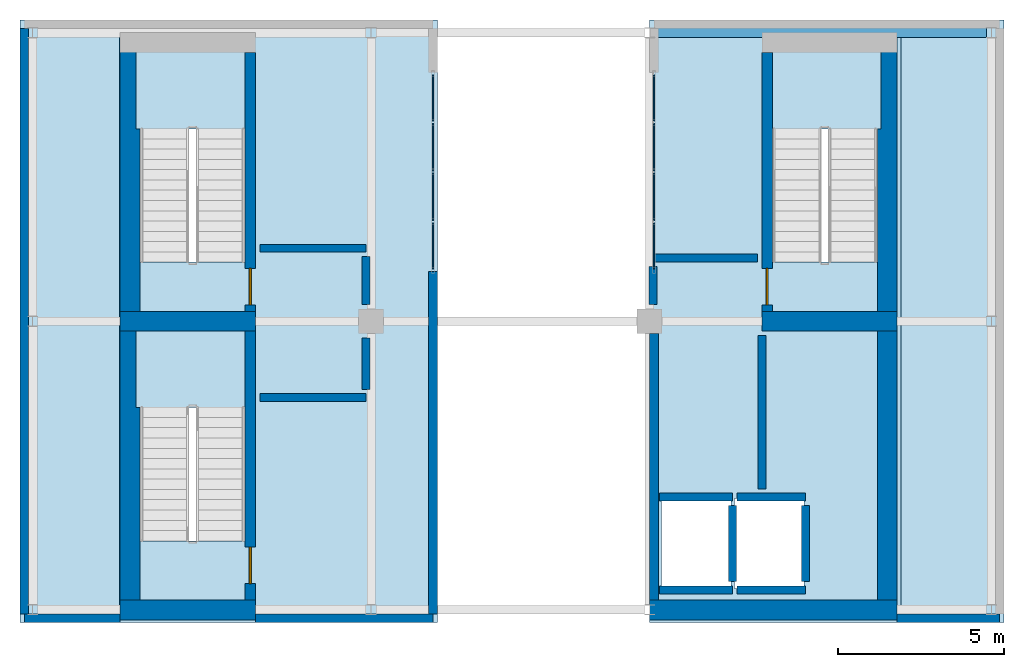
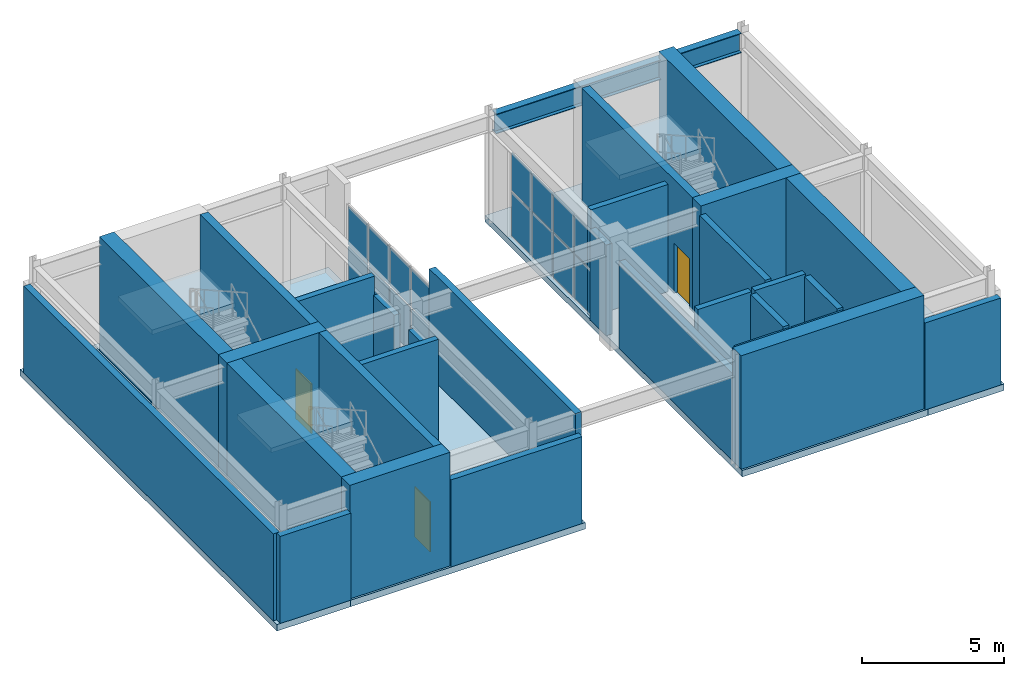
# One storey, part 7 of 9: 28 walls, 16 plates, 7 slabs, 3 doors, 1 beam, 3 openings, 5 elements without a shape of their own.
"""IFC4 building model written with IfcOpenShell, lengths in metres."""

from ifc_helpers import new_model, si_unit, direction, frame, frame_2d, origin, origin_2d, place, context, subcontext, project, spatial, polyline, rectangle, i_section, outline, extrude, material, layer, layer_set, material_profile, profile_set, type_object, element, fill, aggregate, save


model = new_model("IFC4")

# Units and contexts
model_context = context("Model", 3, precision=1e-05, world=origin(), true_north=direction((0.0, 1.0)))
body_context = subcontext(model_context, "Body", "Model", "MODEL_VIEW")
ifc_project = project(units=[si_unit("LENGTHUNIT", "METRE"), si_unit("AREAUNIT", "SQUARE_METRE"), si_unit("VOLUMEUNIT", "CUBIC_METRE"), si_unit("PLANEANGLEUNIT", "RADIAN"), si_unit("MASSUNIT", "GRAM", prefix="KILO")], contexts=[model_context])

# Site, building, storey
site_placement = place(None, origin())
site = spatial("IfcSite", under=ifc_project, at=site_placement, CompositionType="ELEMENT")
building_placement = place(site_placement, origin())
building = spatial("IfcBuilding", under=site, at=building_placement, Name="Solanera Arch Residences", CompositionType="ELEMENT")
storey_placement = place(building_placement, frame((0.0, 0.0, 292.780029296875)))
storey = spatial("IfcBuildingStorey", under=building, at=storey_placement, Name="L83", CompositionType="ELEMENT", Elevation=292.780029296875)

# Beam
ifc_material_1 = material(Name="Steel S355 (ASTM A992 / A572 Grade 50)", Category="steel")
ifc_material_profile = material_profile(ifc_material_1, i_section(OverallWidth=0.2939453125, OverallDepth=0.85107421875, WebThickness=0.01611328125, FlangeThickness=0.02685546875, at=origin_2d()))
ifc_profile_set = profile_set([ifc_material_profile], Name="Steel S355 (ASTM A992 / A572 Grade 50)")
beam_type = type_object("IfcBeamType", Name="Primary Beam W840X226", PredefinedType="BEAM", material=ifc_profile_set)
beam_placement = place(storey_placement, frame((29.35205078125, 39.39990234375, 4.194091796875), z_axis=(1.0, 0.0, 0.0), x_axis=(0.0, 1.0, 0.0)))
element("IfcBeam", 1, at=beam_placement, inside=storey, type_object=beam_type, Name="BM-L83-CR-EN", PredefinedType="BEAM", context=body_context, shape_type="SweptSolid", body=[
    extrude(i_section(OverallWidth=0.2939453125, OverallDepth=0.85107421875, WebThickness=0.01611328125, FlangeThickness=0.02685546875, at=origin_2d()), origin(), (0.0, 0.0, 1.0), 9.995849609375),
])

# Curtain wall, plates
ifc_material_2 = material(Name="Anodised Aluminium Alloy 6063-T6", Category="aluminium")
ifc_layer_1 = layer(ifc_material_2, 0.179931640625)
ifc_layer_set_1 = layer_set([ifc_layer_1], Name="Anodised Aluminium Alloy 6063-T6")
curtain_wall_type = type_object("IfcCurtainWallType", Name="CW-6 Split-Top Crown Lantern Curtain Wall", PredefinedType="USERDEFINED", material=ifc_layer_set_1)
curtain_wall_1_placement = place(storey_placement, origin())
curtain_wall_1 = element("IfcCurtainWall", 2, at=curtain_wall_1_placement, inside=storey, type_object=curtain_wall_type, Name="L83 W Crown Cleft Lantern Curtain Wall", ObjectType="CURTAIN_WALL", PredefinedType="USERDEFINED")
ifc_material_3 = material(Name="Double Glazed Low-E Laminated Glass", Category="glass")
ifc_layer_2 = layer(ifc_material_3, 0.035888671875)
ifc_layer_set_2 = layer_set([ifc_layer_2], Name="Double Glazed Low-E Laminated Glass")
plate_type = type_object("IfcPlateType", Name="Low-Iron Observatory Panel GL-36", PredefinedType="CURTAIN_PANEL", material=ifc_layer_set_2)
plate_1_placement = place(storey_placement, frame((22.669921875, 32.969970703125, 0.080078125), z_axis=(0.0, 0.0, 1.0), x_axis=(0.0, 1.0, 0.0)))
plate_1 = element("IfcPlate", 3, at=plate_1_placement, type_object=plate_type, Name="CW-6 panel 1.1", PredefinedType="CURTAIN_PANEL", context=body_context, shape_type="SweptSolid", body=[
    extrude(rectangle(XDim=1.3798828125, YDim=0.035888671875, at=origin_2d()), origin(), (0.0, 0.0, 1.0), 1.8798828125),
])
plate_2_placement = place(storey_placement, frame((22.669921875, 32.969970703125, 2.0400390625), z_axis=(0.0, 0.0, 1.0), x_axis=(0.0, 1.0, 0.0)))
plate_2 = element("IfcPlate", 4, at=plate_2_placement, type_object=plate_type, Name="CW-6 panel 1.2", PredefinedType="CURTAIN_PANEL", context=body_context, shape_type="SweptSolid", body=[
    extrude(rectangle(XDim=1.3798828125, YDim=0.035888671875, at=origin_2d()), origin(), (0.0, 0.0, 1.0), 1.639892578125),
])
plate_3_placement = place(storey_placement, frame((22.669921875, 34.449951171875, 0.080078125), z_axis=(0.0, 0.0, 1.0), x_axis=(0.0, 1.0, 0.0)))
plate_3 = element("IfcPlate", 5, at=plate_3_placement, type_object=plate_type, Name="CW-6 panel 2.1", PredefinedType="CURTAIN_PANEL", context=body_context, shape_type="SweptSolid", body=[
    extrude(rectangle(XDim=1.419921875, YDim=0.035888671875, at=origin_2d()), origin(), (0.0, 0.0, 1.0), 1.8798828125),
])
plate_4_placement = place(storey_placement, frame((22.669921875, 34.449951171875, 2.0400390625), z_axis=(0.0, 0.0, 1.0), x_axis=(0.0, 1.0, 0.0)))
plate_4 = element("IfcPlate", 6, at=plate_4_placement, type_object=plate_type, Name="CW-6 panel 2.2", PredefinedType="CURTAIN_PANEL", context=body_context, shape_type="SweptSolid", body=[
    extrude(rectangle(XDim=1.419921875, YDim=0.035888671875, at=origin_2d()), origin(), (0.0, 0.0, 1.0), 1.639892578125),
])
plate_5_placement = place(storey_placement, frame((22.669921875, 35.949951171875, 0.080078125), z_axis=(0.0, 0.0, 1.0), x_axis=(0.0, 1.0, 0.0)))
plate_5 = element("IfcPlate", 7, at=plate_5_placement, type_object=plate_type, Name="CW-6 panel 3.1", PredefinedType="CURTAIN_PANEL", context=body_context, shape_type="SweptSolid", body=[
    extrude(rectangle(XDim=1.419921875, YDim=0.035888671875, at=origin_2d()), origin(), (0.0, 0.0, 1.0), 1.8798828125),
])
plate_6_placement = place(storey_placement, frame((22.669921875, 35.949951171875, 2.0400390625), z_axis=(0.0, 0.0, 1.0), x_axis=(0.0, 1.0, 0.0)))
plate_6 = element("IfcPlate", 8, at=plate_6_placement, type_object=plate_type, Name="CW-6 panel 3.2", PredefinedType="CURTAIN_PANEL", context=body_context, shape_type="SweptSolid", body=[
    extrude(rectangle(XDim=1.419921875, YDim=0.035888671875, at=origin_2d()), origin(), (0.0, 0.0, 1.0), 1.639892578125),
])
plate_7_placement = place(storey_placement, frame((22.669921875, 37.429931640625, 0.080078125), z_axis=(0.0, 0.0, 1.0), x_axis=(0.0, 1.0, 0.0)))
plate_7 = element("IfcPlate", 9, at=plate_7_placement, type_object=plate_type, Name="CW-6 panel 4.1", PredefinedType="CURTAIN_PANEL", context=body_context, shape_type="SweptSolid", body=[
    extrude(rectangle(XDim=1.3798828125, YDim=0.035888671875, at=origin_2d()), origin(), (0.0, 0.0, 1.0), 1.8798828125),
])
plate_8_placement = place(storey_placement, frame((22.669921875, 37.429931640625, 2.0400390625), z_axis=(0.0, 0.0, 1.0), x_axis=(0.0, 1.0, 0.0)))
plate_8 = element("IfcPlate", 10, at=plate_8_placement, type_object=plate_type, Name="CW-6 panel 4.2", PredefinedType="CURTAIN_PANEL", context=body_context, shape_type="SweptSolid", body=[
    extrude(rectangle(XDim=1.3798828125, YDim=0.035888671875, at=origin_2d()), origin(), (0.0, 0.0, 1.0), 1.639892578125),
])
aggregate(curtain_wall_1, [plate_1, plate_2, plate_3, plate_4, plate_5, plate_6, plate_7, plate_8])

curtain_wall_2_placement = place(storey_placement, origin())
curtain_wall_2 = element("IfcCurtainWall", 11, at=curtain_wall_2_placement, inside=storey, type_object=curtain_wall_type, Name="L83 E Crown Cleft Lantern Curtain Wall", ObjectType="CURTAIN_WALL", PredefinedType="USERDEFINED")
plate_9_placement = place(storey_placement, frame((29.330078125, 32.969970703125, 0.080078125), z_axis=(0.0, 0.0, 1.0), x_axis=(0.0, 1.0, 0.0)))
plate_9 = element("IfcPlate", 12, at=plate_9_placement, type_object=plate_type, Name="CW-6 panel 1.1", PredefinedType="CURTAIN_PANEL", context=body_context, shape_type="SweptSolid", body=[
    extrude(rectangle(XDim=1.3798828125, YDim=0.035888671875, at=origin_2d()), origin(), (0.0, 0.0, 1.0), 1.8798828125),
])
plate_10_placement = place(storey_placement, frame((29.330078125, 32.969970703125, 2.0400390625), z_axis=(0.0, 0.0, 1.0), x_axis=(0.0, 1.0, 0.0)))
plate_10 = element("IfcPlate", 13, at=plate_10_placement, type_object=plate_type, Name="CW-6 panel 1.2", PredefinedType="CURTAIN_PANEL", context=body_context, shape_type="SweptSolid", body=[
    extrude(rectangle(XDim=1.3798828125, YDim=0.035888671875, at=origin_2d()), origin(), (0.0, 0.0, 1.0), 1.639892578125),
])
plate_11_placement = place(storey_placement, frame((29.330078125, 34.449951171875, 0.080078125), z_axis=(0.0, 0.0, 1.0), x_axis=(0.0, 1.0, 0.0)))
plate_11 = element("IfcPlate", 14, at=plate_11_placement, type_object=plate_type, Name="CW-6 panel 2.1", PredefinedType="CURTAIN_PANEL", context=body_context, shape_type="SweptSolid", body=[
    extrude(rectangle(XDim=1.419921875, YDim=0.035888671875, at=origin_2d()), origin(), (0.0, 0.0, 1.0), 1.8798828125),
])
plate_12_placement = place(storey_placement, frame((29.330078125, 34.449951171875, 2.0400390625), z_axis=(0.0, 0.0, 1.0), x_axis=(0.0, 1.0, 0.0)))
plate_12 = element("IfcPlate", 15, at=plate_12_placement, type_object=plate_type, Name="CW-6 panel 2.2", PredefinedType="CURTAIN_PANEL", context=body_context, shape_type="SweptSolid", body=[
    extrude(rectangle(XDim=1.419921875, YDim=0.035888671875, at=origin_2d()), origin(), (0.0, 0.0, 1.0), 1.639892578125),
])
plate_13_placement = place(storey_placement, frame((29.330078125, 35.949951171875, 0.080078125), z_axis=(0.0, 0.0, 1.0), x_axis=(0.0, 1.0, 0.0)))
plate_13 = element("IfcPlate", 16, at=plate_13_placement, type_object=plate_type, Name="CW-6 panel 3.1", PredefinedType="CURTAIN_PANEL", context=body_context, shape_type="SweptSolid", body=[
    extrude(rectangle(XDim=1.419921875, YDim=0.035888671875, at=origin_2d()), origin(), (0.0, 0.0, 1.0), 1.8798828125),
])
plate_14_placement = place(storey_placement, frame((29.330078125, 35.949951171875, 2.0400390625), z_axis=(0.0, 0.0, 1.0), x_axis=(0.0, 1.0, 0.0)))
plate_14 = element("IfcPlate", 17, at=plate_14_placement, type_object=plate_type, Name="CW-6 panel 3.2", PredefinedType="CURTAIN_PANEL", context=body_context, shape_type="SweptSolid", body=[
    extrude(rectangle(XDim=1.419921875, YDim=0.035888671875, at=origin_2d()), origin(), (0.0, 0.0, 1.0), 1.639892578125),
])
plate_15_placement = place(storey_placement, frame((29.330078125, 37.429931640625, 0.080078125), z_axis=(0.0, 0.0, 1.0), x_axis=(0.0, 1.0, 0.0)))
plate_15 = element("IfcPlate", 18, at=plate_15_placement, type_object=plate_type, Name="CW-6 panel 4.1", PredefinedType="CURTAIN_PANEL", context=body_context, shape_type="SweptSolid", body=[
    extrude(rectangle(XDim=1.3798828125, YDim=0.035888671875, at=origin_2d()), origin(), (0.0, 0.0, 1.0), 1.8798828125),
])
plate_16_placement = place(storey_placement, frame((29.330078125, 37.429931640625, 2.0400390625), z_axis=(0.0, 0.0, 1.0), x_axis=(0.0, 1.0, 0.0)))
plate_16 = element("IfcPlate", 19, at=plate_16_placement, type_object=plate_type, Name="CW-6 panel 4.2", PredefinedType="CURTAIN_PANEL", context=body_context, shape_type="SweptSolid", body=[
    extrude(rectangle(XDim=1.3798828125, YDim=0.035888671875, at=origin_2d()), origin(), (0.0, 0.0, 1.0), 1.639892578125),
])
aggregate(curtain_wall_2, [plate_9, plate_10, plate_11, plate_12, plate_13, plate_14, plate_15, plate_16])

# Slabs
ifc_material_4 = material(Name="Concrete C40/50 (f'c = 45 MPa)", Category="concrete")
ifc_layer_3 = layer(ifc_material_4, 0.239990234375)
ifc_layer_set_3 = layer_set([ifc_layer_3], Name="Concrete C40/50 (f'c = 45 MPa)")
slab_type_1 = type_object("IfcSlabType", Name="Roof Deck Slab 240", PredefinedType="ROOF", material=ifc_layer_set_3)
slab_1_placement = place(storey_placement, frame((0.0, 0.0, -0.280029296875)))
element("IfcSlab", 20, at=slab_1_placement, inside=storey, type_object=slab_type_1, Name="L83 Crown Peak Plenum Deck WO", PredefinedType="ROOF", context=body_context, shape_type="SweptSolid", body=[
    extrude(outline(polyline([(13.219970703125, 21.6201171875), (13.219970703125, 39.780029296875), (10.219970703125, 39.780029296875), (10.219970703125, 21.6201171875), (13.219970703125, 21.6201171875)])), origin(), (0.0, 0.0, 1.0), 0.280029296875),
])
slab_2_placement = place(storey_placement, frame((0.0, 0.0, -0.280029296875)))
element("IfcSlab", 21, at=slab_2_placement, inside=storey, type_object=slab_type_1, Name="L83 Crown Peak Plenum Deck EO", PredefinedType="ROOF", context=body_context, shape_type="SweptSolid", body=[
    extrude(outline(polyline([(39.8798828125, 21.6201171875), (39.8798828125, 39.780029296875), (36.780029296875, 39.780029296875), (36.780029296875, 21.6201171875), (39.8798828125, 21.6201171875)])), origin(), (0.0, 0.0, 1.0), 0.280029296875),
])

# Stair, slab
ifc_material_5 = material(Name="Concrete C40/50 (f'c = 45 MPa)", Category="concrete")
stair_type = type_object("IfcStairType", Name="Tower Dogleg Exit Stair 1480", PredefinedType="HALF_TURN_STAIR", material=ifc_material_5)
stair_1_placement = place(storey_placement, origin())
stair_1 = element("IfcStair", 22, at=stair_1_placement, inside=storey, type_object=stair_type, Name="L83 Tower Core Exit Stair 1", PredefinedType="HALF_TURN_STAIR")
ifc_material_6 = material(Name="Concrete C40/50 (f'c = 45 MPa)", Category="concrete")
ifc_layer_4 = layer(ifc_material_6, 0.199951171875)
ifc_layer_set_4 = layer_set([ifc_layer_4], Name="Concrete C40/50 (f'c = 45 MPa)")
slab_type_2 = type_object("IfcSlabType", Name="Stair Half-Landing Slab 200", PredefinedType="LANDING", material=ifc_layer_set_4)
slab_3_placement = place(storey_placement, frame((0.0, 0.0, 2.25)))
slab_3 = element("IfcSlab", 23, at=slab_3_placement, type_object=slab_type_2, Name="ST-T1 landing 1", PredefinedType="LANDING", context=body_context, shape_type="SweptSolid", body=[
    extrude(outline(polyline([(17.1201171875, 36.5), (17.1201171875, 38.919921875), (13.719970703125, 38.919921875), (13.719970703125, 36.5), (17.1201171875, 36.5)])), origin(), (0.0, 0.0, 1.0), 0.199951171875),
])
aggregate(stair_1, [slab_3])

stair_2_placement = place(storey_placement, origin())
stair_2 = element("IfcStair", 24, at=stair_2_placement, inside=storey, type_object=stair_type, Name="L83 Tower Core Exit Stair 2", PredefinedType="HALF_TURN_STAIR")
slab_4_placement = place(storey_placement, frame((0.0, 0.0, 2.25)))
slab_4 = element("IfcSlab", 25, at=slab_4_placement, type_object=slab_type_2, Name="ST-T2 landing 1", PredefinedType="LANDING", context=body_context, shape_type="SweptSolid", body=[
    extrude(outline(polyline([(36.179931640625, 36.5), (36.179931640625, 38.919921875), (32.780029296875, 38.919921875), (32.780029296875, 36.5), (36.179931640625, 36.5)])), origin(), (0.0, 0.0, 1.0), 0.199951171875),
])
aggregate(stair_2, [slab_4])

stair_3_placement = place(storey_placement, origin())
stair_3 = element("IfcStair", 26, at=stair_3_placement, inside=storey, type_object=stair_type, Name="L83 Tower Core Exit Stair 3", PredefinedType="HALF_TURN_STAIR")
slab_5_placement = place(storey_placement, frame((0.0, 0.0, 2.25)))
slab_5 = element("IfcSlab", 27, at=slab_5_placement, type_object=slab_type_2, Name="ST-T3 landing 1", PredefinedType="LANDING", context=body_context, shape_type="SweptSolid", body=[
    extrude(outline(polyline([(17.1201171875, 28.10009765625), (17.1201171875, 30.52001953125), (13.719970703125, 30.52001953125), (13.719970703125, 28.10009765625), (17.1201171875, 28.10009765625)])), origin(), (0.0, 0.0, 1.0), 0.199951171875),
])
aggregate(stair_3, [slab_5])

# Slabs
ifc_material_7 = material(Name="Concrete C40/50 (f'c = 45 MPa)", Category="concrete")
ifc_layer_5 = layer(ifc_material_7, 0.280029296875)
ifc_layer_set_5 = layer_set([ifc_layer_5], Name="Concrete C40/50 (f'c = 45 MPa)")
slab_type_3 = type_object("IfcSlabType", Name="Suspended Floor Slab Post-Tensioned 280", PredefinedType="FLOOR", material=ifc_layer_set_5)
slab_6_placement = place(storey_placement, frame((0.0, 0.0, -0.280029296875)))
element("IfcSlab", 28, at=slab_6_placement, inside=storey, type_object=slab_type_3, Name="L83 West Crown Core Landing Slab", PredefinedType="FLOOR", context=body_context, shape_type="SweptSolid", body=[
    extrude(outline(polyline([(22.800048828125, 21.6201171875), (22.800048828125, 39.780029296875), (13.199951171875, 39.780029296875), (13.199951171875, 21.6201171875), (22.800048828125, 21.6201171875)]), holes=[polyline([(13.840087890625, 32.48291015625), (13.840087890625, 38.800048828125), (17.0, 38.800048828125), (17.0, 32.48291015625), (13.840087890625, 32.48291015625)]), polyline([(13.840087890625, 24.0830078125), (13.840087890625, 30.39990234375), (17.0, 30.39990234375), (17.0, 24.0830078125), (13.840087890625, 24.0830078125)])]), origin(), (0.0, 0.0, 1.0), 0.280029296875),
])
slab_7_placement = place(storey_placement, frame((0.0, 0.0, -0.280029296875)))
element("IfcSlab", 29, at=slab_7_placement, inside=storey, type_object=slab_type_3, Name="L83 East Crown Core Landing Slab", PredefinedType="FLOOR", context=body_context, shape_type="SweptSolid", body=[
    extrude(outline(polyline([(36.800048828125, 21.6201171875), (36.800048828125, 39.780029296875), (29.199951171875, 39.780029296875), (29.199951171875, 21.6201171875), (36.800048828125, 21.6201171875)]), holes=[polyline([(32.89990234375, 32.48291015625), (32.89990234375, 38.800048828125), (36.06005859375, 38.800048828125), (36.06005859375, 32.48291015625), (32.89990234375, 32.48291015625)]), polyline([(29.550048828125, 25.35009765625), (31.64990234375, 25.35009765625), (31.64990234375, 22.64990234375), (29.550048828125, 22.64990234375), (29.550048828125, 25.35009765625)]), polyline([(31.75, 25.35009765625), (33.85009765625, 25.35009765625), (33.85009765625, 22.64990234375), (31.75, 22.64990234375), (31.75, 25.35009765625)])]), origin(), (0.0, 0.0, 1.0), 0.280029296875),
])

# Wall, opening, door
ifc_material_8 = material(Name="Concrete C40/50 (f'c = 45 MPa)", Category="concrete")
ifc_layer_6 = layer(ifc_material_8, 0.320068359375)
ifc_layer_set_6 = layer_set([ifc_layer_6], Name="Concrete C40/50 (f'c = 45 MPa)")
wall_type_1 = type_object("IfcWallType", Name="Core Shear Wall CW-320", PredefinedType="SHEAR", material=ifc_layer_set_6)
wall_1_placement = place(storey_placement, frame((17.159912109375, 31.0, 0.0), z_axis=(0.0, 0.0, 1.0), x_axis=(0.0, 1.0, 0.0)))
wall_1 = element("IfcWall", 30, at=wall_1_placement, inside=storey, type_object=wall_type_1, Name="L83 Stair ST-T1 East Shear Wall", PredefinedType="SHEAR", context=body_context, shape_type="SweptSolid", body=[
    extrude(rectangle(XDim=7.800048828125, YDim=0.320068359375, at=frame_2d((3.89990234375, 0.0))), origin(), (0.0, 0.0, 1.0), 4.89990234375),
])
opening_1_placement = place(wall_1_placement, frame((0.18994140625, 0.0, 0.0)))
opening_1 = element("IfcOpeningElement", 31, at=opening_1_placement, cuts=wall_1, Name="Opening DF-01", PredefinedType="OPENING", context=body_context, shape_type="SweptSolid", body=[
    extrude(rectangle(XDim=1.10009765625, YDim=2.14990234375, at=frame_2d((0.550048828125, 1.074951171875))), frame((0.0, 0.169921875, 0.0), z_axis=(0.0, -1.0, 0.0), x_axis=(1.0, 0.0, 0.0)), (0.0, 0.0, 1.0), 0.3401),
])
ifc_material_9 = material(Name="Fire-Rated Architectural Hardwood", Category="wood")
door_type = type_object("IfcDoorType", Name="Stair Exit Fire Door DF-01", OperationType="NOTDEFINED", PredefinedType="DOOR", material=ifc_material_9)
door_1_placement = place(opening_1_placement, origin())
door_1 = element("IfcDoor", 32, at=door_1_placement, inside=storey, type_object=door_type, Name="DR-L83-STAIR-ST-T1", OperationType="SINGLE_SWING_LEFT", OverallHeight=2.14990234375, OverallWidth=1.10009765625, PredefinedType="DOOR", context=body_context, shape_type="SweptSolid", body=[
    extrude(rectangle(XDim=1.10009765625, YDim=2.14990234375, at=frame_2d((0.550048828125, 1.074951171875))), frame((0.0, 0.02490234375, 0.0), z_axis=(0.0, -1.0, 0.0), x_axis=(1.0, 0.0, 0.0)), (0.0, 0.0, 1.0), 0.050048828125),
])
fill(opening_1, door_1)

wall_2_placement = place(storey_placement, frame((17.159912109375, 22.300048828125, 0.0), z_axis=(0.0, 0.0, 1.0), x_axis=(0.0, 1.0, 0.0)))
wall_2 = element("IfcWall", 33, at=wall_2_placement, inside=storey, type_object=wall_type_1, Name="L83 Stair ST-T3 East Shear Wall", PredefinedType="SHEAR", context=body_context, shape_type="SweptSolid", body=[
    extrude(rectangle(XDim=8.099853515625, YDim=0.320068359375, at=frame_2d((4.0498046875, 0.0))), origin(), (0.0, 0.0, 1.0), 4.89990234375),
])
opening_2_placement = place(wall_2_placement, frame((0.489990234375, 0.0, 0.0)))
opening_2 = element("IfcOpeningElement", 34, at=opening_2_placement, cuts=wall_2, Name="Opening DF-01", PredefinedType="OPENING", context=body_context, shape_type="SweptSolid", body=[
    extrude(rectangle(XDim=1.10009765625, YDim=2.14990234375, at=frame_2d((0.550048828125, 1.074951171875))), frame((0.0, 0.169921875, 0.0), z_axis=(0.0, -1.0, 0.0), x_axis=(1.0, 0.0, 0.0)), (0.0, 0.0, 1.0), 0.3401),
])
door_2_placement = place(opening_2_placement, origin())
door_2 = element("IfcDoor", 35, at=door_2_placement, inside=storey, type_object=door_type, Name="DR-L83-STAIR-ST-T3", OperationType="SINGLE_SWING_LEFT", OverallHeight=2.14990234375, OverallWidth=1.10009765625, PredefinedType="DOOR", context=body_context, shape_type="SweptSolid", body=[
    extrude(rectangle(XDim=1.10009765625, YDim=2.14990234375, at=frame_2d((0.550048828125, 1.074951171875))), frame((0.0, 0.02490234375, 0.0), z_axis=(0.0, -1.0, 0.0), x_axis=(1.0, 0.0, 0.0)), (0.0, 0.0, 1.0), 0.050048828125),
])
fill(opening_2, door_2)

wall_3_placement = place(storey_placement, frame((32.739990234375, 31.0, 0.0), z_axis=(0.0, 0.0, 1.0), x_axis=(0.0, 1.0, 0.0)))
wall_3 = element("IfcWall", 36, at=wall_3_placement, inside=storey, type_object=wall_type_1, Name="L83 Stair ST-T2 West Shear Wall", PredefinedType="SHEAR", context=body_context, shape_type="SweptSolid", body=[
    extrude(rectangle(XDim=7.800048828125, YDim=0.320068359375, at=frame_2d((3.89990234375, 0.0))), origin(), (0.0, 0.0, 1.0), 4.89990234375),
])
opening_3_placement = place(wall_3_placement, frame((0.18994140625, 0.0, 0.0)))
opening_3 = element("IfcOpeningElement", 37, at=opening_3_placement, cuts=wall_3, Name="Opening DF-01", PredefinedType="OPENING", context=body_context, shape_type="SweptSolid", body=[
    extrude(rectangle(XDim=1.10009765625, YDim=2.14990234375, at=frame_2d((0.550048828125, 1.074951171875))), frame((0.0, 0.169921875, 0.0), z_axis=(0.0, -1.0, 0.0), x_axis=(1.0, 0.0, 0.0)), (0.0, 0.0, 1.0), 0.3401),
])
door_3_placement = place(opening_3_placement, origin())
door_3 = element("IfcDoor", 38, at=door_3_placement, inside=storey, type_object=door_type, Name="DR-L83-STAIR-ST-T2", OperationType="SINGLE_SWING_RIGHT", OverallHeight=2.14990234375, OverallWidth=1.10009765625, PredefinedType="DOOR", context=body_context, shape_type="SweptSolid", body=[
    extrude(rectangle(XDim=1.10009765625, YDim=2.14990234375, at=frame_2d((0.550048828125, 1.074951171875))), frame((0.0, 0.02490234375, 0.0), z_axis=(0.0, -1.0, 0.0), x_axis=(1.0, 0.0, 0.0)), (0.0, 0.0, 1.0), 0.050048828125),
])
fill(opening_3, door_3)

# Walls
ifc_material_10 = material(Name="Concrete C40/50 (f'c = 45 MPa)", Category="concrete")
ifc_layer_7 = layer(ifc_material_10, 0.60009765625)
ifc_layer_set_7 = layer_set([ifc_layer_7], Name="Concrete C40/50 (f'c = 45 MPa)")
wall_type_2 = type_object("IfcWallType", Name="Core Shear Wall CW-600", PredefinedType="SHEAR", material=ifc_layer_set_7)
wall_4_placement = place(storey_placement, frame((13.5400390625, 22.0, 0.0), z_axis=(0.0, 0.0, 1.0), x_axis=(0.0, 1.0, 0.0)))
element("IfcWall", 39, at=wall_4_placement, inside=storey, type_object=wall_type_2, Name="L83 West Core Shear Wall", PredefinedType="SHEAR", context=body_context, shape_type="SweptSolid", body=[
    extrude(rectangle(XDim=17.39990234375, YDim=0.60009765625, at=frame_2d((8.699951171875, 0.0))), origin(), (0.0, 0.0, 1.0), 4.89990234375),
])
for number, where, z_axis, x_axis, name in (
    (40, (13.239990234375, 22.0, 0.0), (0.0, 0.0, 1.0), (1.0, 0.0, 0.0), "L83 South-West Core Shear Wall"),
    (41, (13.239990234375, 30.699951171875, 0.0), (0.0, 0.0, 1.0), (1.0, 0.0, 0.0), "L83 West Stair Divider Shear Wall"),
):
    element("IfcWall", number, at=place(storey_placement, frame(where, z_axis=z_axis, x_axis=x_axis)), inside=storey, type_object=wall_type_2, Name=name, PredefinedType="SHEAR", context=body_context, shape_type="SweptSolid", body=[
        extrude(rectangle(XDim=4.080078125, YDim=0.60009765625, at=frame_2d((2.0400390625, 0.0))), origin(), (0.0, 0.0, 1.0), 4.89990234375),
    ])
wall_5_placement = place(storey_placement, frame((36.360107421875, 22.0, 0.0), z_axis=(0.0, 0.0, 1.0), x_axis=(0.0, 1.0, 0.0)))
element("IfcWall", 42, at=wall_5_placement, inside=storey, type_object=wall_type_2, Name="L83 East Core Shear Wall", PredefinedType="SHEAR", context=body_context, shape_type="SweptSolid", body=[
    extrude(rectangle(XDim=17.39990234375, YDim=0.60009765625, at=frame_2d((8.699951171875, 0.0))), origin(), (0.0, 0.0, 1.0), 4.89990234375),
])
wall_6_placement = place(storey_placement, frame((29.199951171875, 22.0, 0.0), z_axis=(0.0, 0.0, 1.0), x_axis=(1.0, 0.0, 0.0)))
element("IfcWall", 43, at=wall_6_placement, inside=storey, type_object=wall_type_2, Name="L83 South-East Core Shear Wall", PredefinedType="SHEAR", context=body_context, shape_type="SweptSolid", body=[
    extrude(rectangle(XDim=7.4599609375, YDim=0.60009765625, at=frame_2d((3.72998046875, 0.0))), origin(), (0.0, 0.0, 1.0), 4.89990234375),
])
wall_7_placement = place(storey_placement, frame((32.580078125, 30.699951171875, 0.0), z_axis=(0.0, 0.0, 1.0), x_axis=(1.0, 0.0, 0.0)))
element("IfcWall", 44, at=wall_7_placement, inside=storey, type_object=wall_type_2, Name="L83 East Stair Far-Landing Shear Wall", PredefinedType="SHEAR", context=body_context, shape_type="SweptSolid", body=[
    extrude(rectangle(XDim=4.079833984375, YDim=0.60009765625, at=frame_2d((2.0400390625, 0.0))), origin(), (0.0, 0.0, 1.0), 4.89990234375),
])
ifc_material_11 = material(Name="Precast Concrete C35/45", Category="concrete")
ifc_layer_8 = layer(ifc_material_11, 0.260009765625)
ifc_layer_set_8 = layer_set([ifc_layer_8], Name="Precast Concrete C35/45")
wall_type_3 = type_object("IfcWallType", Name="Exterior Wall Precast Masonry-Frame 260", PredefinedType="STANDARD", material=ifc_layer_set_8)
wall_8_placement = place(storey_placement, frame((22.669921875, 21.75, 0.0), z_axis=(0.0, 0.0, 1.0), x_axis=(-1.0, 0.0, 0.0)))
element("IfcWall", 45, at=wall_8_placement, inside=storey, type_object=wall_type_3, Name="L83 W Crown Peak South Precast Wall 1", PredefinedType="STANDARD", context=body_context, shape_type="SweptSolid", body=[
    extrude(rectangle(XDim=5.349853515625, YDim=0.260009765625, at=frame_2d((2.6748046875, 0.0))), origin(), (0.0, 0.0, 1.0), 3.75390625),
])
wall_9_placement = place(storey_placement, frame((13.239990234375, 21.75, 0.0), z_axis=(0.0, 0.0, 1.0), x_axis=(-1.0, 0.0, 0.0)))
element("IfcWall", 46, at=wall_9_placement, inside=storey, type_object=wall_type_3, Name="L83 W Crown Peak South Precast Wall 2", PredefinedType="STANDARD", context=body_context, shape_type="SweptSolid", body=[
    extrude(rectangle(XDim=2.889892578125, YDim=0.260009765625, at=frame_2d((1.44482421875, 0.0))), origin(), (0.0, 0.0, 1.0), 3.75390625),
])
wall_10_placement = place(storey_placement, frame((10.35009765625, 21.8798828125, 0.0), z_axis=(0.0, 0.0, 1.0), x_axis=(0.0, 1.0, 0.0)))
element("IfcWall", 47, at=wall_10_placement, inside=storey, type_object=wall_type_3, Name="L83 W Crown Peak Outer Precast Wall", PredefinedType="STANDARD", context=body_context, shape_type="SweptSolid", body=[
    extrude(rectangle(XDim=17.64013671875, YDim=0.260009765625, at=frame_2d((8.820068359375, 0.0))), origin(), (0.0, 0.0, 1.0), 3.75390625),
])
wall_11_placement = place(storey_placement, frame((22.669921875, 21.8798828125, 0.0), z_axis=(0.0, 0.0, 1.0), x_axis=(0.0, 1.0, 0.0)))
element("IfcWall", 48, at=wall_11_placement, inside=storey, type_object=wall_type_3, Name="L83 W Cleft Cheek South Wall", PredefinedType="STANDARD", context=body_context, shape_type="SweptSolid", body=[
    extrude(rectangle(XDim=10.320068359375, YDim=0.260009765625, at=frame_2d((5.16015625, 0.0))), origin(), (0.0, 0.0, 1.0), 4.619873046875),
])
wall_12_placement = place(storey_placement, frame((39.75, 21.75, 0.0), z_axis=(0.0, 0.0, 1.0), x_axis=(-1.0, 0.0, 0.0)))
element("IfcWall", 49, at=wall_12_placement, inside=storey, type_object=wall_type_3, Name="L83 E Crown Peak South Precast Wall", PredefinedType="STANDARD", context=body_context, shape_type="SweptSolid", body=[
    extrude(rectangle(XDim=3.090087890625, YDim=0.260009765625, at=frame_2d((1.544921875, 0.0))), origin(), (0.0, 0.0, 1.0), 3.75390625),
])
wall_13_placement = place(storey_placement, frame((29.330078125, 22.300048828125, 0.0), z_axis=(0.0, 0.0, 1.0), x_axis=(0.0, 1.0, 0.0)))
element("IfcWall", 50, at=wall_13_placement, inside=storey, type_object=wall_type_3, Name="L83 E Cleft Cheek South Wall", PredefinedType="STANDARD", context=body_context, shape_type="SweptSolid", body=[
    extrude(rectangle(XDim=8.02490234375, YDim=0.260009765625, at=frame_2d((4.012451171875, 0.0))), origin(), (0.0, 0.0, 1.0), 3.75390625),
])
ifc_material_12 = material(Name="Autoclaved Aerated Concrete Blockwork", Category="masonry")
ifc_layer_9 = layer(ifc_material_12, 0.239990234375)
ifc_layer_set_9 = layer_set([ifc_layer_9], Name="Autoclaved Aerated Concrete Blockwork")
wall_type_4 = type_object("IfcWallType", Name="Shaft Wall Fire-Rated 240", PredefinedType="PARTITIONING", material=ifc_layer_set_9)
for number, where, z_axis, x_axis, name in (
    (51, (29.5, 22.60009765625, 0.0), (0.0, 0.0, 1.0), (1.0, 0.0, 0.0), "L83 Lift FFL-1 Hoistway Wall S"),
    (52, (29.5, 25.39990234375, 0.0), (0.0, 0.0, 1.0), (1.0, 0.0, 0.0), "L83 Lift FFL-1 Hoistway Wall N"),
):
    element("IfcWall", number, at=place(storey_placement, frame(where, z_axis=z_axis, x_axis=x_axis)), inside=storey, type_object=wall_type_4, Name=name, PredefinedType="PARTITIONING", context=body_context, shape_type="SweptSolid", body=[
        extrude(rectangle(XDim=2.199951171875, YDim=0.239990234375, at=frame_2d((1.10009765625, 0.0))), origin(), (0.0, 0.0, 1.0), 4.619873046875),
    ])
wall_14_placement = place(storey_placement, frame((31.699951171875, 22.847900390625, 0.0), z_axis=(0.0, 0.0, 1.0), x_axis=(0.0, 1.0, 0.0)))
element("IfcWall", 53, at=wall_14_placement, inside=storey, type_object=wall_type_4, Name="L83 Lift FFL-1 Hoistway Wall E", PredefinedType="PARTITIONING", context=body_context, shape_type="SweptSolid", body=[
    extrude(rectangle(XDim=2.30419921875, YDim=0.239990234375, at=frame_2d((1.152099609375, 0.0))), origin(), (0.0, 0.0, 1.0), 4.619873046875),
])
for number, where, z_axis, x_axis, name in (
    (54, (31.827880859375, 22.60009765625, 0.0), (0.0, 0.0, 1.0), (1.0, 0.0, 0.0), "L83 Lift FFL-2 Hoistway Wall S"),
    (55, (31.827880859375, 25.39990234375, 0.0), (0.0, 0.0, 1.0), (1.0, 0.0, 0.0), "L83 Lift FFL-2 Hoistway Wall N"),
):
    element("IfcWall", number, at=place(storey_placement, frame(where, z_axis=z_axis, x_axis=x_axis)), inside=storey, type_object=wall_type_4, Name=name, PredefinedType="PARTITIONING", context=body_context, shape_type="SweptSolid", body=[
        extrude(rectangle(XDim=2.072021484375, YDim=0.239990234375, at=frame_2d((1.0361328125, 0.0))), origin(), (0.0, 0.0, 1.0), 4.619873046875),
    ])
wall_15_placement = place(storey_placement, frame((33.89990234375, 22.847900390625, 0.0), z_axis=(0.0, 0.0, 1.0), x_axis=(0.0, 1.0, 0.0)))
element("IfcWall", 56, at=wall_15_placement, inside=storey, type_object=wall_type_4, Name="L83 Lift FFL-2 Hoistway Wall E", PredefinedType="PARTITIONING", context=body_context, shape_type="SweptSolid", body=[
    extrude(rectangle(XDim=2.30419921875, YDim=0.239990234375, at=frame_2d((1.152099609375, 0.0))), origin(), (0.0, 0.0, 1.0), 4.619873046875),
])
wall_16_placement = place(storey_placement, frame((17.449951171875, 28.39990234375, 0.0), z_axis=(0.0, 0.0, 1.0), x_axis=(1.0, 0.0, 0.0)))
element("IfcWall", 57, at=wall_16_placement, inside=storey, type_object=wall_type_4, Name="L83 Interior Partition H2", PredefinedType="PARTITIONING", context=body_context, shape_type="SweptSolid", body=[
    extrude(rectangle(XDim=3.199951171875, YDim=0.239990234375, at=frame_2d((1.60009765625, 0.0))), origin(), (0.0, 0.0, 1.0), 4.619873046875),
])
wall_17_placement = place(storey_placement, frame((29.300048828125, 32.60009765625, 0.0), z_axis=(0.0, 0.0, 1.0), x_axis=(1.0, 0.0, 0.0)))
element("IfcWall", 58, at=wall_17_placement, inside=storey, type_object=wall_type_4, Name="L83 Interior Partition H3", PredefinedType="PARTITIONING", context=body_context, shape_type="SweptSolid", body=[
    extrude(rectangle(XDim=3.14990234375, YDim=0.239990234375, at=frame_2d((1.574951171875, 0.0))), origin(), (0.0, 0.0, 1.0), 4.619873046875),
])
wall_18_placement = place(storey_placement, frame((17.449951171875, 32.89990234375, 0.0), z_axis=(0.0, 0.0, 1.0), x_axis=(1.0, 0.0, 0.0)))
element("IfcWall", 59, at=wall_18_placement, inside=storey, type_object=wall_type_4, Name="L83 Interior Partition H4", PredefinedType="PARTITIONING", context=body_context, shape_type="SweptSolid", body=[
    extrude(rectangle(XDim=3.199951171875, YDim=0.239990234375, at=frame_2d((1.60009765625, 0.0))), origin(), (0.0, 0.0, 1.0), 4.619873046875),
])
wall_19_placement = place(storey_placement, frame((20.64990234375, 28.64794921875, 0.0), z_axis=(0.0, 0.0, 1.0), x_axis=(0.0, 1.0, 0.0)))
element("IfcWall", 60, at=wall_19_placement, inside=storey, type_object=wall_type_4, Name="L83 Interior Partition V2 1", PredefinedType="PARTITIONING", context=body_context, shape_type="SweptSolid", body=[
    extrude(rectangle(XDim=1.545166015625, YDim=0.239990234375, at=frame_2d((0.7724609375, 0.0))), origin(), (0.0, 0.0, 1.0), 3.911865234375),
])
wall_20_placement = place(storey_placement, frame((20.64990234375, 31.20703125, 0.0), z_axis=(0.0, 0.0, 1.0), x_axis=(0.0, 1.0, 0.0)))
element("IfcWall", 61, at=wall_20_placement, inside=storey, type_object=wall_type_4, Name="L83 Interior Partition V2 2", PredefinedType="PARTITIONING", context=body_context, shape_type="SweptSolid", body=[
    extrude(rectangle(XDim=1.445068359375, YDim=0.239990234375, at=frame_2d((0.72265625, 0.0))), origin(), (0.0, 0.0, 1.0), 3.911865234375),
])
wall_21_placement = place(storey_placement, frame((29.300048828125, 31.20703125, 0.0), z_axis=(0.0, 0.0, 1.0), x_axis=(0.0, 1.0, 0.0)))
element("IfcWall", 62, at=wall_21_placement, inside=storey, type_object=wall_type_4, Name="L83 Interior Partition V3", PredefinedType="PARTITIONING", context=body_context, shape_type="SweptSolid", body=[
    extrude(rectangle(XDim=1.14501953125, YDim=0.239990234375, at=frame_2d((0.572509765625, 0.0))), origin(), (0.0, 0.0, 1.0), 3.911865234375),
])
wall_22_placement = place(storey_placement, frame((32.580078125, 25.64794921875, 0.0), z_axis=(0.0, 0.0, 1.0), x_axis=(0.0, 1.0, 0.0)))
element("IfcWall", 63, at=wall_22_placement, inside=storey, type_object=wall_type_4, Name="L83 Interior Partition V4", PredefinedType="PARTITIONING", context=body_context, shape_type="SweptSolid", body=[
    extrude(rectangle(XDim=4.6220703125, YDim=0.239990234375, at=frame_2d((2.31103515625, 0.0))), origin(), (0.0, 0.0, 1.0), 4.619873046875),
])

save(model, "model.ifc")
